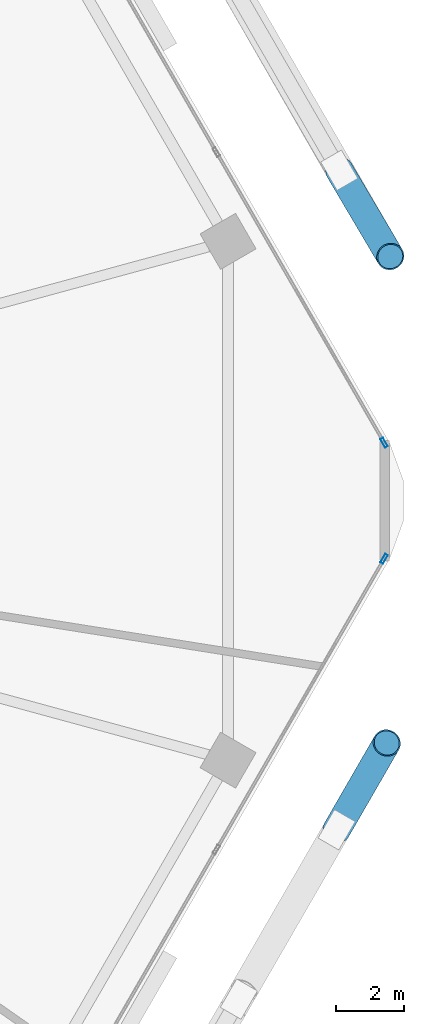
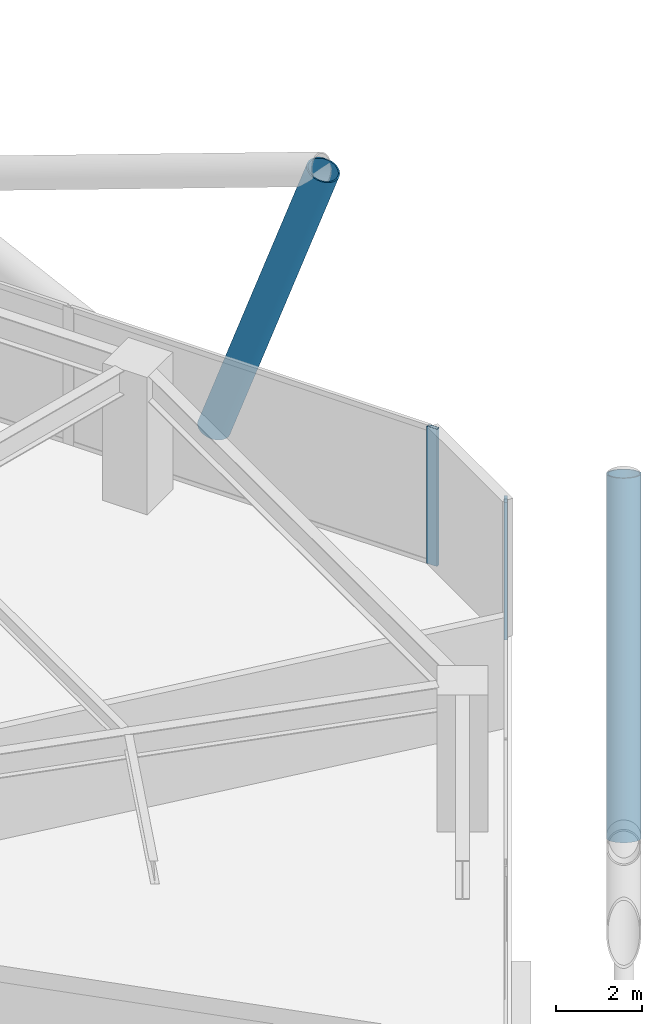
# One storey, part 23 of 30: 4 members, 2 elements without a shape of their own.
"""IFC4 building model written with IfcOpenShell, lengths in metres."""

from ifc_helpers import new_model, si_unit, direction, frame, origin, origin_2d, place, context, subcontext, project, spatial, hollow_rectangle, hollow_circle, extrude, material, material_profile, profile_set, type_object, element, aggregate, save


model = new_model("IFC4")

# Units and contexts
model_context = context("Model", 3, precision=1e-05, world=origin(), true_north=direction((0.0, 1.0)))
body_context = subcontext(model_context, "Body", "Model", "MODEL_VIEW")
ifc_project = project(units=[si_unit("LENGTHUNIT", "METRE"), si_unit("AREAUNIT", "SQUARE_METRE"), si_unit("VOLUMEUNIT", "CUBIC_METRE"), si_unit("PLANEANGLEUNIT", "RADIAN"), si_unit("MASSUNIT", "GRAM", prefix="KILO")], contexts=[model_context])

# Site, building, storey
site_placement = place(None, origin())
site = spatial("IfcSite", under=ifc_project, at=site_placement, CompositionType="ELEMENT")
building_placement = place(site_placement, origin())
building = spatial("IfcBuilding", under=site, at=building_placement, Name="Zuhravey Tower", CompositionType="ELEMENT")
storey_placement = place(building_placement, frame((0.0, 0.0, 33.0)))
storey = spatial("IfcBuildingStorey", under=building, at=storey_placement, Name="L08", CompositionType="ELEMENT", Elevation=33.0)

# Curtain wall, member
ifc_material_1 = material(Name="Thermally broken anodised aluminium", Category="aluminium")
curtain_wall_type = type_object("IfcCurtainWallType", Name="School Low-E Unitised Curtain Wall CW1", PredefinedType="NOTDEFINED", material=ifc_material_1)
curtain_wall_1_placement = place(storey_placement, origin())
curtain_wall_1 = element("IfcCurtainWall", 1, at=curtain_wall_1_placement, inside=storey, type_object=curtain_wall_type, Name="L08 CW1 CW-L08-F6-1", PredefinedType="NOTDEFINED")
ifc_material_2 = material(Name="Anodised aluminium", Category="aluminium")
ifc_material_profile_1 = material_profile(ifc_material_2, hollow_rectangle(XDim=0.090087890625, YDim=0.284912109375, WallThickness=0.0048828125, at=origin_2d()), Name="ALU-RHS-90x285x5")
ifc_profile_set_1 = profile_set([ifc_material_profile_1], Name="Anodised aluminium")
member_type_1 = type_object("IfcMemberType", Name="Curtain-Wall Mullion 90x180", PredefinedType="MULLION", material=ifc_profile_set_1)
member_1_placement = place(storey_placement, frame((68.4560546875, 30.298583984375, 0.0), z_axis=(0.0, 0.0, 1.0), x_axis=(0.86602552265, -0.499999794119, 0.0)))
member_1 = element("IfcMember", 2, at=member_1_placement, type_object=member_type_1, Name="CW1 mullion 1", PredefinedType="MULLION", context=body_context, shape_type="SweptSolid", body=[
    extrude(hollow_rectangle(XDim=0.090087890625, YDim=0.284912109375, WallThickness=0.0048828125, at=origin_2d()), origin(), (0.0, 0.0, 1.0), 3.919921875),
])
aggregate(curtain_wall_1, [member_1])

curtain_wall_2_placement = place(storey_placement, origin())
curtain_wall_2 = element("IfcCurtainWall", 3, at=curtain_wall_2_placement, inside=storey, type_object=curtain_wall_type, Name="L08 CW1 CW-L08-F1-1", PredefinedType="NOTDEFINED")
member_2_placement = place(storey_placement, frame((68.4560546875, 33.701416015625, 0.0), z_axis=(0.0, 0.0, 1.0), x_axis=(0.86602552265, 0.499999794119, 0.0)))
member_2 = element("IfcMember", 4, at=member_2_placement, type_object=member_type_1, Name="CW1 mullion 4", PredefinedType="MULLION", context=body_context, shape_type="SweptSolid", body=[
    extrude(hollow_rectangle(XDim=0.090087890625, YDim=0.284912109375, WallThickness=0.0048828125, at=origin_2d()), origin(), (0.0, 0.0, 1.0), 3.919921875),
])
aggregate(curtain_wall_2, [member_2])

# Members
ifc_material_3 = material(Name="Steel SM460", Category="steel")
ifc_material_profile_2 = material_profile(ifc_material_3, hollow_circle(Radius=0.406494140625, WallThickness=0.035888671875, at=origin_2d()), Name="CHS-812.8x36")
ifc_profile_set_2 = profile_set([ifc_material_profile_2], Name="Steel SM460")
member_type_2 = type_object("IfcMemberType", Name="Exoskeleton Zone 1 Diagrid CHS813x36", PredefinedType="BRACE", material=ifc_profile_set_2)
for number, where, z_axis, x_axis, name in (
    (5, (67.147705078125, 41.66748046875, -0.471923828125), (0.168257085862, -0.284647311923, 0.943750740859), (0.860851811268, 0.508855734995, 0.0), "L08 Face 1 Diagrid Brace 1"),
    (6, (67.06982421875, 22.37744140625, -0.471923828125), (0.165307317227, 0.286358046605, 0.943754501984), (-0.866053660865, 0.499951054106, 0.0), "L08 Face 6 Diagrid Brace 4"),
):
    element("IfcMember", number, at=place(storey_placement, frame(where, z_axis=z_axis, x_axis=x_axis)), inside=storey, type_object=member_type_2, Name=name, PredefinedType="BRACE", context=body_context, shape_type="SweptSolid", body=[
        extrude(hollow_circle(Radius=0.406494140625, WallThickness=0.035888671875, at=origin_2d()), origin(), (0.0, 0.0, 1.0), 8.85400390625),
    ])

save(model, "model.ifc")
